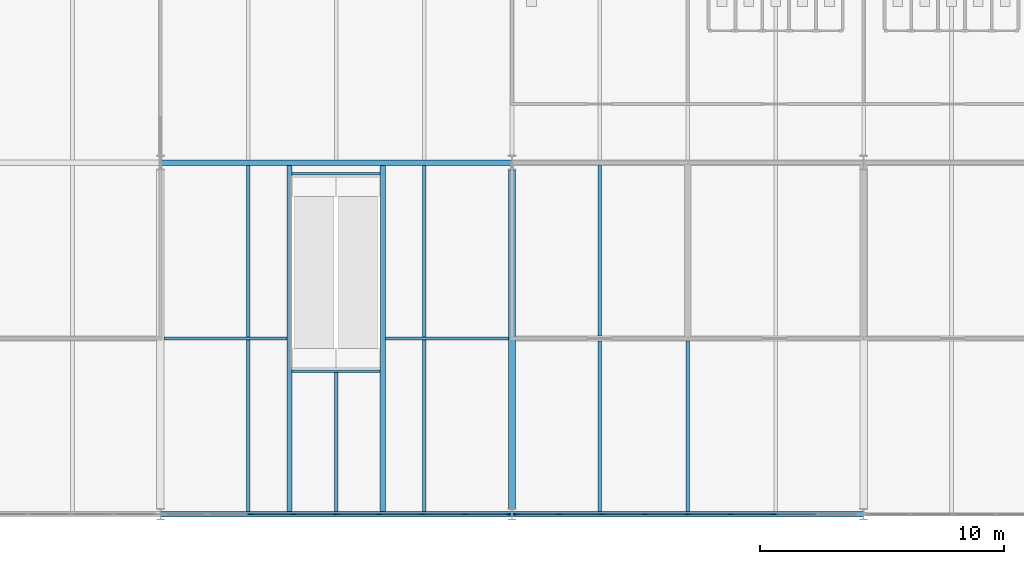
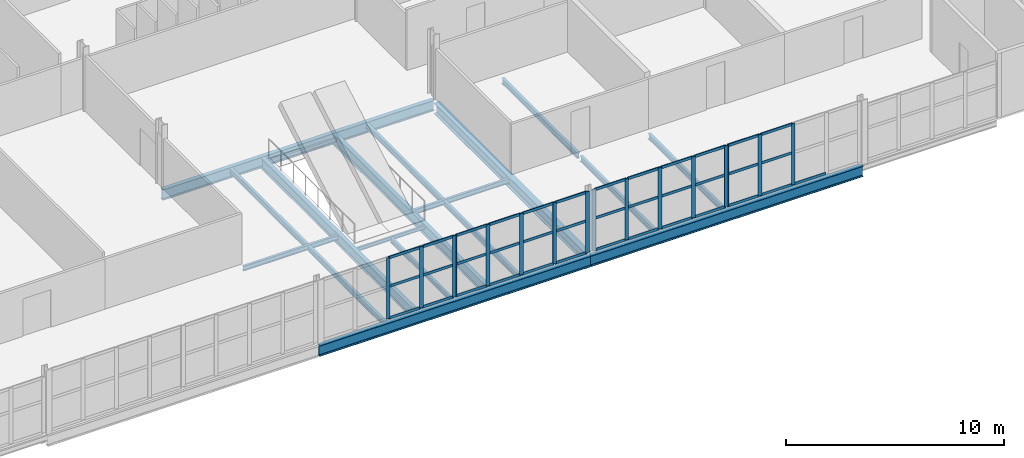
# One storey, part 30 of 124: 53 members, 18 beams, 4 elements without a shape of their own.
"""IFC4 building model written with IfcOpenShell, lengths in metres."""

import ifcopenshell
import ifcopenshell.guid

model = None  # the IFC model being written
_history = None  # IfcOwnerHistory: only IFC2X3 demands one
_inside = {}  # id of a spatial element -> (the spatial element, [elements in it])
_under = {}  # id of a project, library or spatial element -> (it, [spatial elements below it])
_declared = {}  # id of a project -> (the project, [libraries it declares])
_typed = {}  # id of a type object -> (the type object, [elements of that type])
_made_of = {}  # id of a material, layer set ... -> (it, [elements and type objects made of it])


def new_model(schema):
    """Start an empty IFC model of exactly this schema.

    Asked for "IFC4X3", IfcOpenShell would pick the latest addendum, in which some entities
    have other attributes; the version numbers below select the first issue.
    IFC2X3 requires an IfcOwnerHistory on every rooted entity: one is made here for all.
    """
    global model, _history
    if schema == "IFC4X3":
        model = ifcopenshell.file(schema_version=(4, 3, 0, 0))
    else:
        model = ifcopenshell.file(schema=schema)
    _inside.clear()
    _under.clear()
    _declared.clear()
    _typed.clear()
    _made_of.clear()
    _history = None
    if model.schema == "IFC2X3":
        org = make("IfcOrganization", Name="unknown")
        user = make(
            "IfcPersonAndOrganization",
            ThePerson=make("IfcPerson", FamilyName="unknown"),
            TheOrganization=org,
        )
        app = make(
            "IfcApplication",
            ApplicationDeveloper=org,
            Version="unknown",
            ApplicationFullName="unknown",
            ApplicationIdentifier="unknown",
        )
        _history = make(
            "IfcOwnerHistory",
            OwningUser=user,
            OwningApplication=app,
            ChangeAction="ADDED",
            CreationDate=0,
        )
    return model


def make(cls, **values):
    """One entity of the class cls with the attributes given. An attribute that is None is left unset."""
    return model.create_entity(
        cls, **{name: value for name, value in values.items() if value is not None}
    )


def rooted(cls, **values):
    """An entity with a GlobalId (a new one), such as an element, a storey or a relation."""
    return make(cls, GlobalId=ifcopenshell.guid.new(), OwnerHistory=_history, **values)


def si_unit(unit_type, name, prefix=None):
    """IfcSIUnit, for example si_unit("LENGTHUNIT", "METRE", prefix="MILLI")."""
    return make("IfcSIUnit", UnitType=unit_type, Prefix=prefix, Name=name)


def assignment(units):
    """IfcUnitAssignment: the units of a project."""
    return None if units is None else make("IfcUnitAssignment", Units=units)


def point(xyz):
    """IfcCartesianPoint."""
    return None if xyz is None else make("IfcCartesianPoint", Coordinates=xyz)


def direction(xyz):
    """IfcDirection."""
    return None if xyz is None else make("IfcDirection", DirectionRatios=xyz)


def frame(location, z_axis=None, x_axis=None):
    """IfcAxis2Placement3D, a coordinate frame: its origin and axes. An axis left out is left unset."""
    return make(
        "IfcAxis2Placement3D",
        Location=point(location),
        Axis=direction(z_axis),
        RefDirection=direction(x_axis),
    )


def frame_2d(location, x_axis=None):
    """IfcAxis2Placement2D, a coordinate frame in the plane: its origin and x axis."""
    return make(
        "IfcAxis2Placement2D", Location=point(location), RefDirection=direction(x_axis)
    )


def origin():
    """The frame at (0, 0, 0) with its axes left unset."""
    return frame((0.0, 0.0, 0.0))


def origin_2d():
    """The frame at (0, 0) in the plane with its x axis left unset."""
    return frame_2d((0.0, 0.0))


def place(relative_to, where):
    """IfcLocalPlacement: puts the frame where relative to a parent placement (None: the world)."""
    return make(
        "IfcLocalPlacement", PlacementRelTo=relative_to, RelativePlacement=where
    )


def context(
    kind, dimensions, precision=None, world=None, true_north=None, identifier=None
):
    """IfcGeometricRepresentationContext, for example the 3D "Model" context."""
    return make(
        "IfcGeometricRepresentationContext",
        ContextIdentifier=identifier,
        ContextType=kind,
        CoordinateSpaceDimension=dimensions,
        Precision=precision,
        WorldCoordinateSystem=world,
        TrueNorth=true_north,
    )


def subcontext(parent, identifier, kind, view, scale=None):
    """IfcGeometricRepresentationSubContext, for example "Body" below "Model"."""
    return make(
        "IfcGeometricRepresentationSubContext",
        ContextIdentifier=identifier,
        ContextType=kind,
        ParentContext=parent,
        TargetScale=scale,
        TargetView=view,
    )


def project(units=None, contexts=None):
    """IfcProject with its units and contexts."""
    return rooted(
        "IfcProject",
        Name="project",
        RepresentationContexts=contexts,
        UnitsInContext=assignment(units),
    )


def spatial(cls, under=None, at=None, **own):
    """A site, building, storey or space (cls), placed at a placement, below another one or the project."""
    s = rooted(cls, ObjectPlacement=at, **own)
    if under is not None:
        _under.setdefault(under.id(), (under, []))[1].append(s)
    return s


def profile(cls, at=None, kind="AREA", **sizes):
    """A parametric profile (cls). Its sizes go by their IFC names, for example OverallWidth=200.0."""
    return make(cls, ProfileType=kind, Position=at, **sizes)


def rectangle(**sizes):
    """IfcRectangleProfileDef."""
    return profile("IfcRectangleProfileDef", **sizes)


def i_section(**sizes):
    """IfcIShapeProfileDef."""
    return profile("IfcIShapeProfileDef", **sizes)


def extrude(swept, where, along, depth):
    """IfcExtrudedAreaSolid: the profile swept, set in the frame where, extruded along a direction by depth."""
    return make(
        "IfcExtrudedAreaSolid",
        SweptArea=swept,
        Position=where,
        ExtrudedDirection=direction(along),
        Depth=depth,
    )


def shape(context_of_items, identifier, shape_type, items):
    """IfcShapeRepresentation: the items that make up one representation, for example the "Body"."""
    return make(
        "IfcShapeRepresentation",
        ContextOfItems=context_of_items,
        RepresentationIdentifier=identifier,
        RepresentationType=shape_type,
        Items=items,
    )


def material(Name=None, Category=None):
    """IfcMaterial."""
    return make("IfcMaterial", Name=Name, Category=Category)


def material_profile(
    of_material, cross_section, Name=None, Category=None, Priority=None
):
    """IfcMaterialProfile: a cross section and its material."""
    return make(
        "IfcMaterialProfile",
        Name=Name,
        Material=of_material,
        Profile=cross_section,
        Priority=Priority,
        Category=Category,
    )


def profile_set(profiles, Name=None, composite=None):
    """IfcMaterialProfileSet."""
    return make(
        "IfcMaterialProfileSet",
        Name=Name,
        MaterialProfiles=profiles,
        CompositeProfile=composite,
    )


def made_of(thing, what):
    """Note that an element or type object is made of a material, layer set ...; save() writes the relation."""
    if what is not None:
        _made_of.setdefault(what.id(), (what, []))[1].append(thing)
    return thing


def type_object(cls, material=None, **own):
    """A type object (cls), such as IfcWallType, which elements share."""
    return made_of(rooted(cls, **own), material)


def element(
    cls,
    number,
    at=None,
    inside=None,
    cuts=None,
    type_object=None,
    material=None,
    context=None,
    identifier="Body",
    shape_type=None,
    held_by="IfcProductDefinitionShape",
    body=None,
    shapes=None,
    **own,
):
    """One element of the class cls, such as IfcWall. Its Tag is "e" and its number.

    at: its placement. inside: the storey or other place that contains it. cuts: it is an
    opening in that element (IfcRelVoidsElement). A single representation is given by context,
    identifier, shape_type and body (its items); several are given by shapes. held_by: the class
    of the entity that holds the representations. save() writes the other relations.
    """
    e = rooted(cls, Tag="e%d" % number, ObjectPlacement=at, **own)
    if body is not None:
        shapes = [shape(context, identifier, shape_type, body)]
    if shapes is not None:
        e.Representation = make(held_by, Representations=shapes)
    if inside is not None:
        _inside.setdefault(inside.id(), (inside, []))[1].append(e)
    if cuts is not None:
        rooted(
            "IfcRelVoidsElement", RelatingBuildingElement=cuts, RelatedOpeningElement=e
        )
    if type_object is not None:
        _typed.setdefault(type_object.id(), (type_object, []))[1].append(e)
    return made_of(e, material)


def aggregate(whole, parts):
    """IfcRelAggregates: a whole, such as a stair, and the parts it consists of."""
    return rooted("IfcRelAggregates", RelatingObject=whole, RelatedObjects=parts)


def save(model, path):
    """Write the relations noted so far, then the file.

    IfcRelAggregates (storeys below a building ...), IfcRelContainedInSpatialStructure (elements
    in a storey), IfcRelDefinesByType, IfcRelAssociatesMaterial and IfcRelDeclares: one each for
    every whole, place, type object, material and project.
    """
    for whole, parts in _under.values():
        aggregate(whole, parts)
    for where, things in _inside.values():
        rooted(
            "IfcRelContainedInSpatialStructure",
            RelatedElements=things,
            RelatingStructure=where,
        )
    for kind, things in _typed.values():
        rooted("IfcRelDefinesByType", RelatedObjects=things, RelatingType=kind)
    for what, things in _made_of.values():
        rooted("IfcRelAssociatesMaterial", RelatedObjects=things, RelatingMaterial=what)
    for by, libraries in _declared.values():
        rooted("IfcRelDeclares", RelatingContext=by, RelatedDefinitions=libraries)
    model.write(path)


model = new_model("IFC4")

# Units and contexts
model_context = context("Model", 3, precision=1e-05, world=origin(), true_north=direction((0.0, 1.0)))
body_context = subcontext(model_context, "Body", "Model", "MODEL_VIEW")
ifc_project = project(units=[si_unit("LENGTHUNIT", "METRE"), si_unit("AREAUNIT", "SQUARE_METRE"), si_unit("VOLUMEUNIT", "CUBIC_METRE"), si_unit("PLANEANGLEUNIT", "RADIAN"), si_unit("MASSUNIT", "GRAM", prefix="KILO")], contexts=[model_context])

# Site, building, storey
site_placement = place(None, origin())
site = spatial("IfcSite", under=ifc_project, at=site_placement, CompositionType="ELEMENT")
building_placement = place(site_placement, origin())
building = spatial("IfcBuilding", under=site, at=building_placement, Name="Kupolbacken Congress Centre", CompositionType="ELEMENT")
storey_placement = place(building_placement, frame((0.0, 0.0, 10.800048828125)))
storey = spatial("IfcBuildingStorey", under=building, at=storey_placement, Name="L03", CompositionType="ELEMENT", Elevation=10.800048828125)

# Beams
ifc_material_1 = material(Name="Steel S355", Category="steel")
ifc_material_profile_1 = material_profile(ifc_material_1, i_section(OverallWidth=0.10009765625, OverallDepth=0.199951171875, WebThickness=0.005615234375, FlangeThickness=0.008544921875, FilletRadius=0.011962890625, at=origin_2d()), Name="IPE 200")
ifc_profile_set_1 = profile_set([ifc_material_profile_1], Name="Steel S355")
beam_type_1 = type_object("IfcBeamType", Name="B01 beam IPE 200", PredefinedType="BEAM", material=ifc_profile_set_1)
for number, where, z_axis, x_axis, name in (
    (1, (41.39990234375, 34.65234375, -0.280029296875), (1.0, 0.0, 0.0), (0.0, 1.0, 0.0), "S/floor/F/L03/T032"),
    (2, (41.39990234375, 42.747802734375, -0.280029296875), (1.0, 0.0, 0.0), (0.0, 1.0, 0.0), "S/floor/F/L03/T033"),
):
    element("IfcBeam", number, at=place(storey_placement, frame(where, z_axis=z_axis, x_axis=x_axis)), inside=storey, type_object=beam_type_1, Name=name, PredefinedType="BEAM", context=body_context, shape_type="SweptSolid", body=[
        extrude(i_section(OverallWidth=0.10009765625, OverallDepth=0.199951171875, WebThickness=0.005615234375, FlangeThickness=0.008544921875, FilletRadius=0.011962890625, at=origin_2d()), origin(), (0.0, 0.0, 1.0), 3.60009765625),
    ])
ifc_material_2 = material(Name="Steel S355", Category="steel")
ifc_material_profile_2 = material_profile(ifc_material_2, i_section(OverallWidth=0.135009765625, OverallDepth=0.27001953125, WebThickness=0.006591796875, FlangeThickness=0.01025390625, FilletRadius=0.014892578125, at=origin_2d()), Name="IPE 270")
ifc_profile_set_2 = profile_set([ifc_material_profile_2], Name="Steel S355")
beam_type_2 = type_object("IfcBeamType", Name="B03 beam IPE 270", PredefinedType="BEAM", material=ifc_profile_set_2)
for number, where, z_axis, x_axis, name in (
    (3, (36.14990234375, 36.0, -0.31494140625), (1.0, 0.0, 0.0), (0.0, 1.0, 0.0), "S/floor/F/L03/R036"),
    (4, (45.219970703125, 36.0, -0.31494140625), (1.0, 0.0, 0.0), (0.0, 1.0, 0.0), "S/floor/F/L03/R037"),
):
    element("IfcBeam", number, at=place(storey_placement, frame(where, z_axis=z_axis, x_axis=x_axis)), inside=storey, type_object=beam_type_2, Name=name, PredefinedType="BEAM", context=body_context, shape_type="SweptSolid", body=[
        extrude(i_section(OverallWidth=0.135009765625, OverallDepth=0.27001953125, WebThickness=0.006591796875, FlangeThickness=0.01025390625, FilletRadius=0.014892578125, at=origin_2d()), origin(), (0.0, 0.0, 1.0), 5.030029296875),
    ])
beam_1_placement = place(storey_placement, frame((43.199951171875, 28.909912109375, -0.31494140625), z_axis=(0.0, 1.0, 0.0), x_axis=(-1.0, 0.0, 0.0)))
element("IfcBeam", 5, at=beam_1_placement, inside=storey, type_object=beam_type_2, Name="S/floor/F/L03/S061", PredefinedType="BEAM", context=body_context, shape_type="SweptSolid", body=[
    extrude(i_section(OverallWidth=0.135009765625, OverallDepth=0.27001953125, WebThickness=0.006591796875, FlangeThickness=0.01025390625, FilletRadius=0.014892578125, at=origin_2d()), origin(), (0.0, 0.0, 1.0), 5.6923828125),
])
ifc_material_3 = material(Name="Steel S355", Category="steel")
ifc_material_profile_3 = material_profile(ifc_material_3, i_section(OverallWidth=0.14990234375, OverallDepth=0.300048828125, WebThickness=0.007080078125, FlangeThickness=0.0107421875, FilletRadius=0.014892578125, at=origin_2d()), Name="IPE 300")
ifc_profile_set_3 = profile_set([ifc_material_profile_3], Name="Steel S355")
beam_type_3 = type_object("IfcBeamType", Name="B04 beam IPE 300", PredefinedType="BEAM", material=ifc_profile_set_3)
for number, where, z_axis, x_axis, name in (
    (6, (39.60009765625, 28.909912109375, -0.330078125), (0.0, 1.0, 0.0), (-1.0, 0.0, 0.0), "S/floor/F/L03/S058"),
    (7, (39.60009765625, 36.0673828125, -0.330078125), (0.0, 1.0, 0.0), (-1.0, 0.0, 0.0), "S/floor/F/L03/S059"),
    (8, (46.800048828125, 28.909912109375, -0.330078125), (0.0, 1.0, 0.0), (-1.0, 0.0, 0.0), "S/floor/F/L03/S063"),
    (9, (46.800048828125, 36.0673828125, -0.330078125), (0.0, 1.0, 0.0), (-1.0, 0.0, 0.0), "S/floor/F/L03/S064"),
):
    element("IfcBeam", number, at=place(storey_placement, frame(where, z_axis=z_axis, x_axis=x_axis)), inside=storey, type_object=beam_type_3, Name=name, PredefinedType="BEAM", context=body_context, shape_type="SweptSolid", body=[
        extrude(i_section(OverallWidth=0.14990234375, OverallDepth=0.300048828125, WebThickness=0.007080078125, FlangeThickness=0.0107421875, FilletRadius=0.014892578125, at=origin_2d()), origin(), (0.0, 0.0, 1.0), 7.022705078125),
    ])
for number, where, z_axis, x_axis, name in (
    (10, (54.0, 28.909912109375, -0.330078125), (0.0, 1.0, 0.0), (-1.0, 0.0, 0.0), "S/floor/F/L03/S066"),
    (11, (54.0, 36.110107421875, -0.330078125), (0.0, 1.0, 0.0), (-1.0, 0.0, 0.0), "S/floor/F/L03/S067"),
    (12, (57.60009765625, 28.909912109375, -0.330078125), (0.0, 1.0, 0.0), (-1.0, 0.0, 0.0), "S/floor/F/L03/S069"),
):
    element("IfcBeam", number, at=place(storey_placement, frame(where, z_axis=z_axis, x_axis=x_axis)), inside=storey, type_object=beam_type_3, Name=name, PredefinedType="BEAM", context=body_context, shape_type="SweptSolid", body=[
        extrude(i_section(OverallWidth=0.14990234375, OverallDepth=0.300048828125, WebThickness=0.007080078125, FlangeThickness=0.0107421875, FilletRadius=0.014892578125, at=origin_2d()), origin(), (0.0, 0.0, 1.0), 6.97998046875),
    ])
ifc_material_4 = material(Name="Steel S355", Category="steel")
ifc_material_profile_4 = material_profile(ifc_material_4, i_section(OverallWidth=0.219970703125, OverallDepth=0.60009765625, WebThickness=0.011962890625, FlangeThickness=0.01904296875, FilletRadius=0.02392578125, at=origin_2d()), Name="IPE 600")
ifc_profile_set_4 = profile_set([ifc_material_profile_4], Name="Steel S355")
beam_type_4 = type_object("IfcBeamType", Name="B11 beam IPE 600", PredefinedType="BEAM", material=ifc_profile_set_4)
for number, where, z_axis, x_axis, name in (
    (13, (36.007080078125, 28.800048828125, -0.47998046875), (1.0, 0.0, 0.0), (0.0, 1.0, 0.0), "S/floor/F/L03/R017"),
    (14, (50.406982421875, 28.800048828125, -0.47998046875), (1.0, 0.0, 0.0), (0.0, 1.0, 0.0), "S/floor/F/L03/R018"),
):
    element("IfcBeam", number, at=place(storey_placement, frame(where, z_axis=z_axis, x_axis=x_axis)), inside=storey, type_object=beam_type_4, Name=name, PredefinedType="BEAM", context=body_context, shape_type="SweptSolid", body=[
        extrude(i_section(OverallWidth=0.219970703125, OverallDepth=0.60009765625, WebThickness=0.011962890625, FlangeThickness=0.01904296875, FilletRadius=0.02392578125, at=origin_2d()), origin(), (0.0, 0.0, 1.0), 14.385986328125),
    ])
beam_2_placement = place(storey_placement, frame((36.0078125, 43.199951171875, -0.47998046875), z_axis=(1.0, 0.0, 0.0), x_axis=(0.0, 1.0, 0.0)))
element("IfcBeam", 15, at=beam_2_placement, inside=storey, type_object=beam_type_4, Name="S/floor/F/L03/R022", PredefinedType="BEAM", context=body_context, shape_type="SweptSolid", body=[
    extrude(i_section(OverallWidth=0.219970703125, OverallDepth=0.60009765625, WebThickness=0.011962890625, FlangeThickness=0.01904296875, FilletRadius=0.02392578125, at=origin_2d()), origin(), (0.0, 0.0, 1.0), 14.384521484375),
])
for number, where, z_axis, x_axis, name in (
    (16, (41.2900390625, 28.909912109375, -0.47998046875), (0.0, 1.0, 0.0), (-1.0, 0.0, 0.0), "S/floor/F/L03/T030"),
    (17, (45.110107421875, 28.909912109375, -0.47998046875), (0.0, 1.0, 0.0), (-1.0, 0.0, 0.0), "S/floor/F/L03/T031"),
):
    element("IfcBeam", number, at=place(storey_placement, frame(where, z_axis=z_axis, x_axis=x_axis)), inside=storey, type_object=beam_type_4, Name=name, PredefinedType="BEAM", context=body_context, shape_type="SweptSolid", body=[
        extrude(i_section(OverallWidth=0.219970703125, OverallDepth=0.60009765625, WebThickness=0.011962890625, FlangeThickness=0.01904296875, FilletRadius=0.02392578125, at=origin_2d()), origin(), (0.0, 0.0, 1.0), 14.18017578125),
    ])
ifc_material_5 = material(Name="Steel S355", Category="steel")
ifc_material_profile_5 = material_profile(ifc_material_5, i_section(OverallWidth=0.300048828125, OverallDepth=0.60009765625, WebThickness=0.015380859375, FlangeThickness=0.030029296875, FilletRadius=0.027099609375, at=origin_2d()), Name="HEB 600")
ifc_profile_set_5 = profile_set([ifc_material_profile_5], Name="Steel S355")
beam_type_5 = type_object("IfcBeamType", Name="B15 beam HEB 600", PredefinedType="BEAM", material=ifc_profile_set_5)
beam_3_placement = place(storey_placement, frame((50.39990234375, 29.02490234375, -0.47998046875), z_axis=(0.0, 1.0, 0.0), x_axis=(-1.0, 0.0, 0.0)))
element("IfcBeam", 18, at=beam_3_placement, inside=storey, type_object=beam_type_5, Name="S/floor/F/L03/G008", PredefinedType="BEAM", context=body_context, shape_type="SweptSolid", body=[
    extrude(i_section(OverallWidth=0.300048828125, OverallDepth=0.60009765625, WebThickness=0.015380859375, FlangeThickness=0.030029296875, FilletRadius=0.027099609375, at=origin_2d()), origin(), (0.0, 0.0, 1.0), 13.875),
])

# Curtain wall, members
ifc_material_6 = material(Name="Aluminium mullion-transom frame with glass", Category="aluminium")
curtain_wall_type = type_object("IfcCurtainWallType", Name="CW1 curtain wall 7200x3600", PredefinedType="NOTDEFINED", material=ifc_material_6)
curtain_wall_1_placement = place(storey_placement, origin())
curtain_wall_1 = element("IfcCurtainWall", 19, at=curtain_wall_1_placement, inside=storey, type_object=curtain_wall_type, Name="E/F/S/L03/331", PredefinedType="NOTDEFINED")
ifc_material_7 = material(Name="Aluminium alloy", Category="aluminium")
ifc_material_profile_6 = material_profile(ifc_material_7, rectangle(XDim=0.050048828125, YDim=0.199951171875, at=origin_2d()), Name="50 x 200")
ifc_profile_set_6 = profile_set([ifc_material_profile_6], Name="Aluminium alloy")
member_type_1 = type_object("IfcMemberType", Name="MU2 mullion 50x200", PredefinedType="MULLION", material=ifc_profile_set_6)
member_1_placement = place(storey_placement, frame((39.675048828125, 28.800048828125, 0.0), z_axis=(0.0, 0.0, 1.0), x_axis=(0.0, 1.0, 0.0)))
member_1 = element("IfcMember", 20, at=member_1_placement, type_object=member_type_1, Name="CW1 mullion 3", PredefinedType="MULLION", context=body_context, shape_type="SweptSolid", body=[
    extrude(rectangle(XDim=0.050048828125, YDim=0.199951171875, at=origin_2d()), origin(), (0.0, 0.0, 1.0), 3.419921875),
])
member_2_placement = place(storey_placement, frame((41.4375, 28.800048828125, 0.0), z_axis=(0.0, 0.0, 1.0), x_axis=(0.0, 1.0, 0.0)))
member_2 = element("IfcMember", 21, at=member_2_placement, type_object=member_type_1, Name="CW1 mullion 4", PredefinedType="MULLION", context=body_context, shape_type="SweptSolid", body=[
    extrude(rectangle(XDim=0.050048828125, YDim=0.199951171875, at=origin_2d()), origin(), (0.0, 0.0, 1.0), 3.419921875),
])
member_3_placement = place(storey_placement, frame((43.175048828125, 28.800048828125, 0.0), z_axis=(0.0, 0.0, 1.0), x_axis=(0.0, 1.0, 0.0)))
member_3 = element("IfcMember", 22, at=member_3_placement, type_object=member_type_1, Name="CW1 mullion 5", PredefinedType="MULLION", context=body_context, shape_type="SweptSolid", body=[
    extrude(rectangle(XDim=0.050048828125, YDim=0.199951171875, at=origin_2d()), origin(), (0.0, 0.0, 1.0), 3.419921875),
])

curtain_wall_2_placement = place(storey_placement, origin())
curtain_wall_2 = element("IfcCurtainWall", 23, at=curtain_wall_2_placement, inside=storey, type_object=curtain_wall_type, Name="E/F/S/L03/332", PredefinedType="NOTDEFINED")
member_4_placement = place(storey_placement, frame((43.22509765625, 28.800048828125, 0.0), z_axis=(0.0, 0.0, 1.0), x_axis=(0.0, 1.0, 0.0)))
member_4 = element("IfcMember", 24, at=member_4_placement, type_object=member_type_1, Name="CW1 mullion 1", PredefinedType="MULLION", context=body_context, shape_type="SweptSolid", body=[
    extrude(rectangle(XDim=0.050048828125, YDim=0.199951171875, at=origin_2d()), origin(), (0.0, 0.0, 1.0), 3.419921875),
])
member_5_placement = place(storey_placement, frame((44.96240234375, 28.800048828125, 0.0), z_axis=(0.0, 0.0, 1.0), x_axis=(0.0, 1.0, 0.0)))
member_5 = element("IfcMember", 25, at=member_5_placement, type_object=member_type_1, Name="CW1 mullion 2", PredefinedType="MULLION", context=body_context, shape_type="SweptSolid", body=[
    extrude(rectangle(XDim=0.050048828125, YDim=0.199951171875, at=origin_2d()), origin(), (0.0, 0.0, 1.0), 3.419921875),
])
member_6_placement = place(storey_placement, frame((46.72509765625, 28.800048828125, 0.0), z_axis=(0.0, 0.0, 1.0), x_axis=(0.0, 1.0, 0.0)))
member_6 = element("IfcMember", 26, at=member_6_placement, type_object=member_type_1, Name="CW1 mullion 3", PredefinedType="MULLION", context=body_context, shape_type="SweptSolid", body=[
    extrude(rectangle(XDim=0.050048828125, YDim=0.199951171875, at=origin_2d()), origin(), (0.0, 0.0, 1.0), 3.419921875),
])
member_7_placement = place(storey_placement, frame((48.487548828125, 28.800048828125, 0.0), z_axis=(0.0, 0.0, 1.0), x_axis=(0.0, 1.0, 0.0)))
member_7 = element("IfcMember", 27, at=member_7_placement, type_object=member_type_1, Name="CW1 mullion 4", PredefinedType="MULLION", context=body_context, shape_type="SweptSolid", body=[
    extrude(rectangle(XDim=0.050048828125, YDim=0.199951171875, at=origin_2d()), origin(), (0.0, 0.0, 1.0), 3.419921875),
])
member_8_placement = place(storey_placement, frame((50.22509765625, 28.800048828125, 0.0), z_axis=(0.0, 0.0, 1.0), x_axis=(0.0, 1.0, 0.0)))
member_8 = element("IfcMember", 28, at=member_8_placement, type_object=member_type_1, Name="CW1 mullion 5", PredefinedType="MULLION", context=body_context, shape_type="SweptSolid", body=[
    extrude(rectangle(XDim=0.050048828125, YDim=0.199951171875, at=origin_2d()), origin(), (0.0, 0.0, 1.0), 3.419921875),
])

curtain_wall_3_placement = place(storey_placement, origin())
curtain_wall_3 = element("IfcCurtainWall", 29, at=curtain_wall_3_placement, inside=storey, type_object=curtain_wall_type, Name="E/F/S/L03/333", PredefinedType="NOTDEFINED")
member_9_placement = place(storey_placement, frame((50.574951171875, 28.800048828125, 0.0), z_axis=(0.0, 0.0, 1.0), x_axis=(0.0, 1.0, 0.0)))
member_9 = element("IfcMember", 30, at=member_9_placement, type_object=member_type_1, Name="CW1 mullion 1", PredefinedType="MULLION", context=body_context, shape_type="SweptSolid", body=[
    extrude(rectangle(XDim=0.050048828125, YDim=0.199951171875, at=origin_2d()), origin(), (0.0, 0.0, 1.0), 3.419921875),
])
member_10_placement = place(storey_placement, frame((52.3125, 28.800048828125, 0.0), z_axis=(0.0, 0.0, 1.0), x_axis=(0.0, 1.0, 0.0)))
member_10 = element("IfcMember", 31, at=member_10_placement, type_object=member_type_1, Name="CW1 mullion 2", PredefinedType="MULLION", context=body_context, shape_type="SweptSolid", body=[
    extrude(rectangle(XDim=0.050048828125, YDim=0.199951171875, at=origin_2d()), origin(), (0.0, 0.0, 1.0), 3.419921875),
])
member_11_placement = place(storey_placement, frame((54.074951171875, 28.800048828125, 0.0), z_axis=(0.0, 0.0, 1.0), x_axis=(0.0, 1.0, 0.0)))
member_11 = element("IfcMember", 32, at=member_11_placement, type_object=member_type_1, Name="CW1 mullion 3", PredefinedType="MULLION", context=body_context, shape_type="SweptSolid", body=[
    extrude(rectangle(XDim=0.050048828125, YDim=0.199951171875, at=origin_2d()), origin(), (0.0, 0.0, 1.0), 3.419921875),
])
member_12_placement = place(storey_placement, frame((55.83740234375, 28.800048828125, 0.0), z_axis=(0.0, 0.0, 1.0), x_axis=(0.0, 1.0, 0.0)))
member_12 = element("IfcMember", 33, at=member_12_placement, type_object=member_type_1, Name="CW1 mullion 4", PredefinedType="MULLION", context=body_context, shape_type="SweptSolid", body=[
    extrude(rectangle(XDim=0.050048828125, YDim=0.199951171875, at=origin_2d()), origin(), (0.0, 0.0, 1.0), 3.419921875),
])
member_13_placement = place(storey_placement, frame((57.574951171875, 28.800048828125, 0.0), z_axis=(0.0, 0.0, 1.0), x_axis=(0.0, 1.0, 0.0)))
member_13 = element("IfcMember", 34, at=member_13_placement, type_object=member_type_1, Name="CW1 mullion 5", PredefinedType="MULLION", context=body_context, shape_type="SweptSolid", body=[
    extrude(rectangle(XDim=0.050048828125, YDim=0.199951171875, at=origin_2d()), origin(), (0.0, 0.0, 1.0), 3.419921875),
])

curtain_wall_4_placement = place(storey_placement, origin())
curtain_wall_4 = element("IfcCurtainWall", 35, at=curtain_wall_4_placement, inside=storey, type_object=curtain_wall_type, Name="E/F/S/L03/334", PredefinedType="NOTDEFINED")
member_14_placement = place(storey_placement, frame((57.625, 28.800048828125, 0.0), z_axis=(0.0, 0.0, 1.0), x_axis=(0.0, 1.0, 0.0)))
member_14 = element("IfcMember", 36, at=member_14_placement, type_object=member_type_1, Name="CW1 mullion 1", PredefinedType="MULLION", context=body_context, shape_type="SweptSolid", body=[
    extrude(rectangle(XDim=0.050048828125, YDim=0.199951171875, at=origin_2d()), origin(), (0.0, 0.0, 1.0), 3.419921875),
])
member_15_placement = place(storey_placement, frame((59.362548828125, 28.800048828125, 0.0), z_axis=(0.0, 0.0, 1.0), x_axis=(0.0, 1.0, 0.0)))
member_15 = element("IfcMember", 37, at=member_15_placement, type_object=member_type_1, Name="CW1 mullion 2", PredefinedType="MULLION", context=body_context, shape_type="SweptSolid", body=[
    extrude(rectangle(XDim=0.050048828125, YDim=0.199951171875, at=origin_2d()), origin(), (0.0, 0.0, 1.0), 3.419921875),
])
member_16_placement = place(storey_placement, frame((61.125, 28.800048828125, 0.0), z_axis=(0.0, 0.0, 1.0), x_axis=(0.0, 1.0, 0.0)))
member_16 = element("IfcMember", 38, at=member_16_placement, type_object=member_type_1, Name="CW1 mullion 3", PredefinedType="MULLION", context=body_context, shape_type="SweptSolid", body=[
    extrude(rectangle(XDim=0.050048828125, YDim=0.199951171875, at=origin_2d()), origin(), (0.0, 0.0, 1.0), 3.419921875),
])

# Member
ifc_material_8 = material(Name="Aluminium alloy", Category="aluminium")
ifc_material_profile_7 = material_profile(ifc_material_8, rectangle(XDim=0.050048828125, YDim=0.14990234375, at=origin_2d()), Name="50 x 150")
ifc_profile_set_7 = profile_set([ifc_material_profile_7], Name="Aluminium alloy")
member_type_2 = type_object("IfcMemberType", Name="TR2 transom 50x150", PredefinedType="MULLION", material=ifc_profile_set_7)
member_17_placement = place(storey_placement, frame((39.699951171875, 28.800048828125, 0.02490234375), z_axis=(1.0, 0.0, 0.0), x_axis=(0.0, 1.0, 0.0)))
member_17 = element("IfcMember", 39, at=member_17_placement, type_object=member_type_2, Name="CW1 transom 3.1", PredefinedType="MULLION", context=body_context, shape_type="SweptSolid", body=[
    extrude(rectangle(XDim=0.050048828125, YDim=0.14990234375, at=origin_2d()), origin(), (0.0, 0.0, 1.0), 1.712646484375),
])

member_18_placement = place(storey_placement, frame((39.699951171875, 28.800048828125, 1.800048828125), z_axis=(1.0, 0.0, 0.0), x_axis=(0.0, 1.0, 0.0)))
member_18 = element("IfcMember", 40, at=member_18_placement, type_object=member_type_2, Name="CW1 transom 3.2", PredefinedType="MULLION", context=body_context, shape_type="SweptSolid", body=[
    extrude(rectangle(XDim=0.050048828125, YDim=0.14990234375, at=origin_2d()), origin(), (0.0, 0.0, 1.0), 1.712646484375),
])

member_19_placement = place(storey_placement, frame((39.699951171875, 28.800048828125, 3.39501953125), z_axis=(1.0, 0.0, 0.0), x_axis=(0.0, 1.0, 0.0)))
member_19 = element("IfcMember", 41, at=member_19_placement, type_object=member_type_2, Name="CW1 transom 3.3", PredefinedType="MULLION", context=body_context, shape_type="SweptSolid", body=[
    extrude(rectangle(XDim=0.050048828125, YDim=0.14990234375, at=origin_2d()), origin(), (0.0, 0.0, 1.0), 1.712646484375),
])

member_20_placement = place(storey_placement, frame((41.46240234375, 28.800048828125, 0.02490234375), z_axis=(1.0, 0.0, 0.0), x_axis=(0.0, 1.0, 0.0)))
member_20 = element("IfcMember", 42, at=member_20_placement, type_object=member_type_2, Name="CW1 transom 4.1", PredefinedType="MULLION", context=body_context, shape_type="SweptSolid", body=[
    extrude(rectangle(XDim=0.050048828125, YDim=0.14990234375, at=origin_2d()), origin(), (0.0, 0.0, 1.0), 1.6875),
])

member_21_placement = place(storey_placement, frame((41.46240234375, 28.800048828125, 1.800048828125), z_axis=(1.0, 0.0, 0.0), x_axis=(0.0, 1.0, 0.0)))
member_21 = element("IfcMember", 43, at=member_21_placement, type_object=member_type_2, Name="CW1 transom 4.2", PredefinedType="MULLION", context=body_context, shape_type="SweptSolid", body=[
    extrude(rectangle(XDim=0.050048828125, YDim=0.14990234375, at=origin_2d()), origin(), (0.0, 0.0, 1.0), 1.6875),
])

member_22_placement = place(storey_placement, frame((41.46240234375, 28.800048828125, 3.39501953125), z_axis=(1.0, 0.0, 0.0), x_axis=(0.0, 1.0, 0.0)))
member_22 = element("IfcMember", 44, at=member_22_placement, type_object=member_type_2, Name="CW1 transom 4.3", PredefinedType="MULLION", context=body_context, shape_type="SweptSolid", body=[
    extrude(rectangle(XDim=0.050048828125, YDim=0.14990234375, at=origin_2d()), origin(), (0.0, 0.0, 1.0), 1.6875),
])

aggregate(curtain_wall_1, [member_1, member_2, member_3, member_17, member_18, member_19, member_20, member_21, member_22])

member_23_placement = place(storey_placement, frame((43.25, 28.800048828125, 0.02490234375), z_axis=(1.0, 0.0, 0.0), x_axis=(0.0, 1.0, 0.0)))
member_23 = element("IfcMember", 45, at=member_23_placement, type_object=member_type_2, Name="CW1 transom 1.1", PredefinedType="MULLION", context=body_context, shape_type="SweptSolid", body=[
    extrude(rectangle(XDim=0.050048828125, YDim=0.14990234375, at=origin_2d()), origin(), (0.0, 0.0, 1.0), 1.6875),
])

member_24_placement = place(storey_placement, frame((43.25, 28.800048828125, 1.800048828125), z_axis=(1.0, 0.0, 0.0), x_axis=(0.0, 1.0, 0.0)))
member_24 = element("IfcMember", 46, at=member_24_placement, type_object=member_type_2, Name="CW1 transom 1.2", PredefinedType="MULLION", context=body_context, shape_type="SweptSolid", body=[
    extrude(rectangle(XDim=0.050048828125, YDim=0.14990234375, at=origin_2d()), origin(), (0.0, 0.0, 1.0), 1.6875),
])

member_25_placement = place(storey_placement, frame((43.25, 28.800048828125, 3.39501953125), z_axis=(1.0, 0.0, 0.0), x_axis=(0.0, 1.0, 0.0)))
member_25 = element("IfcMember", 47, at=member_25_placement, type_object=member_type_2, Name="CW1 transom 1.3", PredefinedType="MULLION", context=body_context, shape_type="SweptSolid", body=[
    extrude(rectangle(XDim=0.050048828125, YDim=0.14990234375, at=origin_2d()), origin(), (0.0, 0.0, 1.0), 1.6875),
])

member_26_placement = place(storey_placement, frame((44.987548828125, 28.800048828125, 0.02490234375), z_axis=(1.0, 0.0, 0.0), x_axis=(0.0, 1.0, 0.0)))
member_26 = element("IfcMember", 48, at=member_26_placement, type_object=member_type_2, Name="CW1 transom 2.1", PredefinedType="MULLION", context=body_context, shape_type="SweptSolid", body=[
    extrude(rectangle(XDim=0.050048828125, YDim=0.14990234375, at=origin_2d()), origin(), (0.0, 0.0, 1.0), 1.71240234375),
])

member_27_placement = place(storey_placement, frame((44.987548828125, 28.800048828125, 1.800048828125), z_axis=(1.0, 0.0, 0.0), x_axis=(0.0, 1.0, 0.0)))
member_27 = element("IfcMember", 49, at=member_27_placement, type_object=member_type_2, Name="CW1 transom 2.2", PredefinedType="MULLION", context=body_context, shape_type="SweptSolid", body=[
    extrude(rectangle(XDim=0.050048828125, YDim=0.14990234375, at=origin_2d()), origin(), (0.0, 0.0, 1.0), 1.71240234375),
])

member_28_placement = place(storey_placement, frame((44.987548828125, 28.800048828125, 3.39501953125), z_axis=(1.0, 0.0, 0.0), x_axis=(0.0, 1.0, 0.0)))
member_28 = element("IfcMember", 50, at=member_28_placement, type_object=member_type_2, Name="CW1 transom 2.3", PredefinedType="MULLION", context=body_context, shape_type="SweptSolid", body=[
    extrude(rectangle(XDim=0.050048828125, YDim=0.14990234375, at=origin_2d()), origin(), (0.0, 0.0, 1.0), 1.71240234375),
])

member_29_placement = place(storey_placement, frame((46.75, 28.800048828125, 0.02490234375), z_axis=(1.0, 0.0, 0.0), x_axis=(0.0, 1.0, 0.0)))
member_29 = element("IfcMember", 51, at=member_29_placement, type_object=member_type_2, Name="CW1 transom 3.1", PredefinedType="MULLION", context=body_context, shape_type="SweptSolid", body=[
    extrude(rectangle(XDim=0.050048828125, YDim=0.14990234375, at=origin_2d()), origin(), (0.0, 0.0, 1.0), 1.71240234375),
])

member_30_placement = place(storey_placement, frame((46.75, 28.800048828125, 1.800048828125), z_axis=(1.0, 0.0, 0.0), x_axis=(0.0, 1.0, 0.0)))
member_30 = element("IfcMember", 52, at=member_30_placement, type_object=member_type_2, Name="CW1 transom 3.2", PredefinedType="MULLION", context=body_context, shape_type="SweptSolid", body=[
    extrude(rectangle(XDim=0.050048828125, YDim=0.14990234375, at=origin_2d()), origin(), (0.0, 0.0, 1.0), 1.71240234375),
])

member_31_placement = place(storey_placement, frame((46.75, 28.800048828125, 3.39501953125), z_axis=(1.0, 0.0, 0.0), x_axis=(0.0, 1.0, 0.0)))
member_31 = element("IfcMember", 53, at=member_31_placement, type_object=member_type_2, Name="CW1 transom 3.3", PredefinedType="MULLION", context=body_context, shape_type="SweptSolid", body=[
    extrude(rectangle(XDim=0.050048828125, YDim=0.14990234375, at=origin_2d()), origin(), (0.0, 0.0, 1.0), 1.71240234375),
])

member_32_placement = place(storey_placement, frame((48.512451171875, 28.800048828125, 0.02490234375), z_axis=(1.0, 0.0, 0.0), x_axis=(0.0, 1.0, 0.0)))
member_32 = element("IfcMember", 54, at=member_32_placement, type_object=member_type_2, Name="CW1 transom 4.1", PredefinedType="MULLION", context=body_context, shape_type="SweptSolid", body=[
    extrude(rectangle(XDim=0.050048828125, YDim=0.14990234375, at=origin_2d()), origin(), (0.0, 0.0, 1.0), 1.6875),
])

member_33_placement = place(storey_placement, frame((48.512451171875, 28.800048828125, 1.800048828125), z_axis=(1.0, 0.0, 0.0), x_axis=(0.0, 1.0, 0.0)))
member_33 = element("IfcMember", 55, at=member_33_placement, type_object=member_type_2, Name="CW1 transom 4.2", PredefinedType="MULLION", context=body_context, shape_type="SweptSolid", body=[
    extrude(rectangle(XDim=0.050048828125, YDim=0.14990234375, at=origin_2d()), origin(), (0.0, 0.0, 1.0), 1.6875),
])

member_34_placement = place(storey_placement, frame((48.512451171875, 28.800048828125, 3.39501953125), z_axis=(1.0, 0.0, 0.0), x_axis=(0.0, 1.0, 0.0)))
member_34 = element("IfcMember", 56, at=member_34_placement, type_object=member_type_2, Name="CW1 transom 4.3", PredefinedType="MULLION", context=body_context, shape_type="SweptSolid", body=[
    extrude(rectangle(XDim=0.050048828125, YDim=0.14990234375, at=origin_2d()), origin(), (0.0, 0.0, 1.0), 1.6875),
])

aggregate(curtain_wall_2, [member_4, member_5, member_6, member_7, member_8, member_23, member_24, member_25, member_26, member_27, member_28, member_29, member_30, member_31, member_32, member_33, member_34])

member_35_placement = place(storey_placement, frame((50.60009765625, 28.800048828125, 0.02490234375), z_axis=(1.0, 0.0, 0.0), x_axis=(0.0, 1.0, 0.0)))
member_35 = element("IfcMember", 57, at=member_35_placement, type_object=member_type_2, Name="CW1 transom 1.1", PredefinedType="MULLION", context=body_context, shape_type="SweptSolid", body=[
    extrude(rectangle(XDim=0.050048828125, YDim=0.14990234375, at=origin_2d()), origin(), (0.0, 0.0, 1.0), 1.6875),
])

member_36_placement = place(storey_placement, frame((50.60009765625, 28.800048828125, 1.800048828125), z_axis=(1.0, 0.0, 0.0), x_axis=(0.0, 1.0, 0.0)))
member_36 = element("IfcMember", 58, at=member_36_placement, type_object=member_type_2, Name="CW1 transom 1.2", PredefinedType="MULLION", context=body_context, shape_type="SweptSolid", body=[
    extrude(rectangle(XDim=0.050048828125, YDim=0.14990234375, at=origin_2d()), origin(), (0.0, 0.0, 1.0), 1.6875),
])

member_37_placement = place(storey_placement, frame((50.60009765625, 28.800048828125, 3.39501953125), z_axis=(1.0, 0.0, 0.0), x_axis=(0.0, 1.0, 0.0)))
member_37 = element("IfcMember", 59, at=member_37_placement, type_object=member_type_2, Name="CW1 transom 1.3", PredefinedType="MULLION", context=body_context, shape_type="SweptSolid", body=[
    extrude(rectangle(XDim=0.050048828125, YDim=0.14990234375, at=origin_2d()), origin(), (0.0, 0.0, 1.0), 1.6875),
])

member_38_placement = place(storey_placement, frame((52.33740234375, 28.800048828125, 0.02490234375), z_axis=(1.0, 0.0, 0.0), x_axis=(0.0, 1.0, 0.0)))
member_38 = element("IfcMember", 60, at=member_38_placement, type_object=member_type_2, Name="CW1 transom 2.1", PredefinedType="MULLION", context=body_context, shape_type="SweptSolid", body=[
    extrude(rectangle(XDim=0.050048828125, YDim=0.14990234375, at=origin_2d()), origin(), (0.0, 0.0, 1.0), 1.712646484375),
])

member_39_placement = place(storey_placement, frame((52.33740234375, 28.800048828125, 1.800048828125), z_axis=(1.0, 0.0, 0.0), x_axis=(0.0, 1.0, 0.0)))
member_39 = element("IfcMember", 61, at=member_39_placement, type_object=member_type_2, Name="CW1 transom 2.2", PredefinedType="MULLION", context=body_context, shape_type="SweptSolid", body=[
    extrude(rectangle(XDim=0.050048828125, YDim=0.14990234375, at=origin_2d()), origin(), (0.0, 0.0, 1.0), 1.712646484375),
])

member_40_placement = place(storey_placement, frame((52.33740234375, 28.800048828125, 3.39501953125), z_axis=(1.0, 0.0, 0.0), x_axis=(0.0, 1.0, 0.0)))
member_40 = element("IfcMember", 62, at=member_40_placement, type_object=member_type_2, Name="CW1 transom 2.3", PredefinedType="MULLION", context=body_context, shape_type="SweptSolid", body=[
    extrude(rectangle(XDim=0.050048828125, YDim=0.14990234375, at=origin_2d()), origin(), (0.0, 0.0, 1.0), 1.712646484375),
])

member_41_placement = place(storey_placement, frame((54.10009765625, 28.800048828125, 0.02490234375), z_axis=(1.0, 0.0, 0.0), x_axis=(0.0, 1.0, 0.0)))
member_41 = element("IfcMember", 63, at=member_41_placement, type_object=member_type_2, Name="CW1 transom 3.1", PredefinedType="MULLION", context=body_context, shape_type="SweptSolid", body=[
    extrude(rectangle(XDim=0.050048828125, YDim=0.14990234375, at=origin_2d()), origin(), (0.0, 0.0, 1.0), 1.71240234375),
])

member_42_placement = place(storey_placement, frame((54.10009765625, 28.800048828125, 1.800048828125), z_axis=(1.0, 0.0, 0.0), x_axis=(0.0, 1.0, 0.0)))
member_42 = element("IfcMember", 64, at=member_42_placement, type_object=member_type_2, Name="CW1 transom 3.2", PredefinedType="MULLION", context=body_context, shape_type="SweptSolid", body=[
    extrude(rectangle(XDim=0.050048828125, YDim=0.14990234375, at=origin_2d()), origin(), (0.0, 0.0, 1.0), 1.71240234375),
])

member_43_placement = place(storey_placement, frame((54.10009765625, 28.800048828125, 3.39501953125), z_axis=(1.0, 0.0, 0.0), x_axis=(0.0, 1.0, 0.0)))
member_43 = element("IfcMember", 65, at=member_43_placement, type_object=member_type_2, Name="CW1 transom 3.3", PredefinedType="MULLION", context=body_context, shape_type="SweptSolid", body=[
    extrude(rectangle(XDim=0.050048828125, YDim=0.14990234375, at=origin_2d()), origin(), (0.0, 0.0, 1.0), 1.71240234375),
])

member_44_placement = place(storey_placement, frame((55.862548828125, 28.800048828125, 0.02490234375), z_axis=(1.0, 0.0, 0.0), x_axis=(0.0, 1.0, 0.0)))
member_44 = element("IfcMember", 66, at=member_44_placement, type_object=member_type_2, Name="CW1 transom 4.1", PredefinedType="MULLION", context=body_context, shape_type="SweptSolid", body=[
    extrude(rectangle(XDim=0.050048828125, YDim=0.14990234375, at=origin_2d()), origin(), (0.0, 0.0, 1.0), 1.6875),
])

member_45_placement = place(storey_placement, frame((55.862548828125, 28.800048828125, 1.800048828125), z_axis=(1.0, 0.0, 0.0), x_axis=(0.0, 1.0, 0.0)))
member_45 = element("IfcMember", 67, at=member_45_placement, type_object=member_type_2, Name="CW1 transom 4.2", PredefinedType="MULLION", context=body_context, shape_type="SweptSolid", body=[
    extrude(rectangle(XDim=0.050048828125, YDim=0.14990234375, at=origin_2d()), origin(), (0.0, 0.0, 1.0), 1.6875),
])

member_46_placement = place(storey_placement, frame((55.862548828125, 28.800048828125, 3.39501953125), z_axis=(1.0, 0.0, 0.0), x_axis=(0.0, 1.0, 0.0)))
member_46 = element("IfcMember", 68, at=member_46_placement, type_object=member_type_2, Name="CW1 transom 4.3", PredefinedType="MULLION", context=body_context, shape_type="SweptSolid", body=[
    extrude(rectangle(XDim=0.050048828125, YDim=0.14990234375, at=origin_2d()), origin(), (0.0, 0.0, 1.0), 1.6875),
])

aggregate(curtain_wall_3, [member_9, member_10, member_11, member_12, member_13, member_35, member_36, member_37, member_38, member_39, member_40, member_41, member_42, member_43, member_44, member_45, member_46])

member_47_placement = place(storey_placement, frame((57.64990234375, 28.800048828125, 0.02490234375), z_axis=(1.0, 0.0, 0.0), x_axis=(0.0, 1.0, 0.0)))
member_47 = element("IfcMember", 69, at=member_47_placement, type_object=member_type_2, Name="CW1 transom 1.1", PredefinedType="MULLION", context=body_context, shape_type="SweptSolid", body=[
    extrude(rectangle(XDim=0.050048828125, YDim=0.14990234375, at=origin_2d()), origin(), (0.0, 0.0, 1.0), 1.6875),
])

member_48_placement = place(storey_placement, frame((57.64990234375, 28.800048828125, 1.800048828125), z_axis=(1.0, 0.0, 0.0), x_axis=(0.0, 1.0, 0.0)))
member_48 = element("IfcMember", 70, at=member_48_placement, type_object=member_type_2, Name="CW1 transom 1.2", PredefinedType="MULLION", context=body_context, shape_type="SweptSolid", body=[
    extrude(rectangle(XDim=0.050048828125, YDim=0.14990234375, at=origin_2d()), origin(), (0.0, 0.0, 1.0), 1.6875),
])

member_49_placement = place(storey_placement, frame((57.64990234375, 28.800048828125, 3.39501953125), z_axis=(1.0, 0.0, 0.0), x_axis=(0.0, 1.0, 0.0)))
member_49 = element("IfcMember", 71, at=member_49_placement, type_object=member_type_2, Name="CW1 transom 1.3", PredefinedType="MULLION", context=body_context, shape_type="SweptSolid", body=[
    extrude(rectangle(XDim=0.050048828125, YDim=0.14990234375, at=origin_2d()), origin(), (0.0, 0.0, 1.0), 1.6875),
])

member_50_placement = place(storey_placement, frame((59.387451171875, 28.800048828125, 0.02490234375), z_axis=(1.0, 0.0, 0.0), x_axis=(0.0, 1.0, 0.0)))
member_50 = element("IfcMember", 72, at=member_50_placement, type_object=member_type_2, Name="CW1 transom 2.1", PredefinedType="MULLION", context=body_context, shape_type="SweptSolid", body=[
    extrude(rectangle(XDim=0.050048828125, YDim=0.14990234375, at=origin_2d()), origin(), (0.0, 0.0, 1.0), 1.712646484375),
])

member_51_placement = place(storey_placement, frame((59.387451171875, 28.800048828125, 1.800048828125), z_axis=(1.0, 0.0, 0.0), x_axis=(0.0, 1.0, 0.0)))
member_51 = element("IfcMember", 73, at=member_51_placement, type_object=member_type_2, Name="CW1 transom 2.2", PredefinedType="MULLION", context=body_context, shape_type="SweptSolid", body=[
    extrude(rectangle(XDim=0.050048828125, YDim=0.14990234375, at=origin_2d()), origin(), (0.0, 0.0, 1.0), 1.712646484375),
])

member_52_placement = place(storey_placement, frame((59.387451171875, 28.800048828125, 3.39501953125), z_axis=(1.0, 0.0, 0.0), x_axis=(0.0, 1.0, 0.0)))
member_52 = element("IfcMember", 74, at=member_52_placement, type_object=member_type_2, Name="CW1 transom 2.3", PredefinedType="MULLION", context=body_context, shape_type="SweptSolid", body=[
    extrude(rectangle(XDim=0.050048828125, YDim=0.14990234375, at=origin_2d()), origin(), (0.0, 0.0, 1.0), 1.712646484375),
])

member_53_placement = place(storey_placement, frame((61.14990234375, 28.800048828125, 0.02490234375), z_axis=(1.0, 0.0, 0.0), x_axis=(0.0, 1.0, 0.0)))
member_53 = element("IfcMember", 75, at=member_53_placement, type_object=member_type_2, Name="CW1 transom 3.1", PredefinedType="MULLION", context=body_context, shape_type="SweptSolid", body=[
    extrude(rectangle(XDim=0.050048828125, YDim=0.14990234375, at=origin_2d()), origin(), (0.0, 0.0, 1.0), 1.712646484375),
])

aggregate(curtain_wall_4, [member_14, member_15, member_16, member_47, member_48, member_49, member_50, member_51, member_52, member_53])

save(model, "model.ifc")
